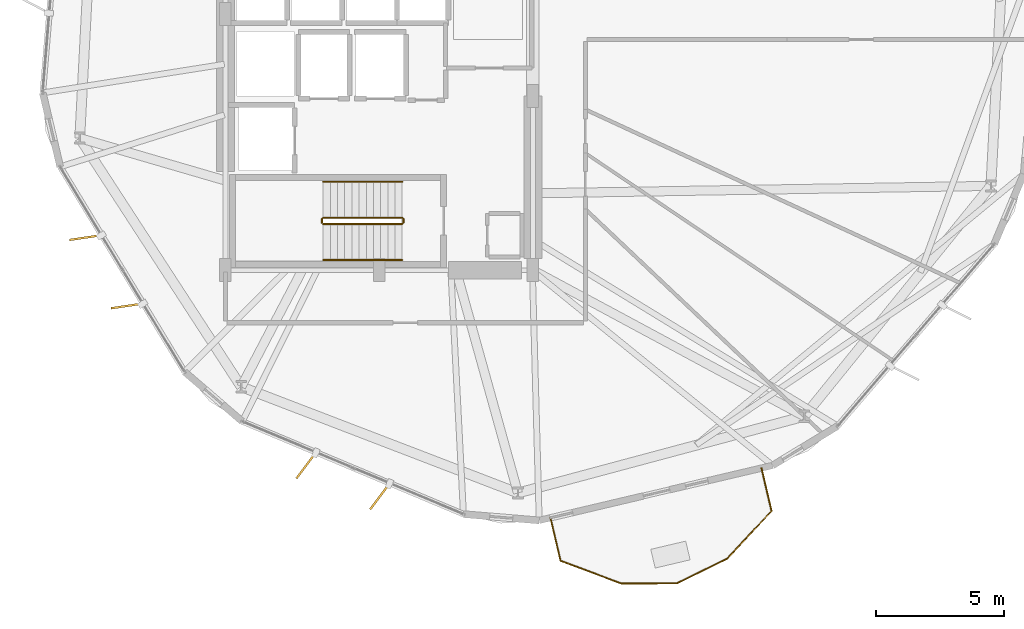
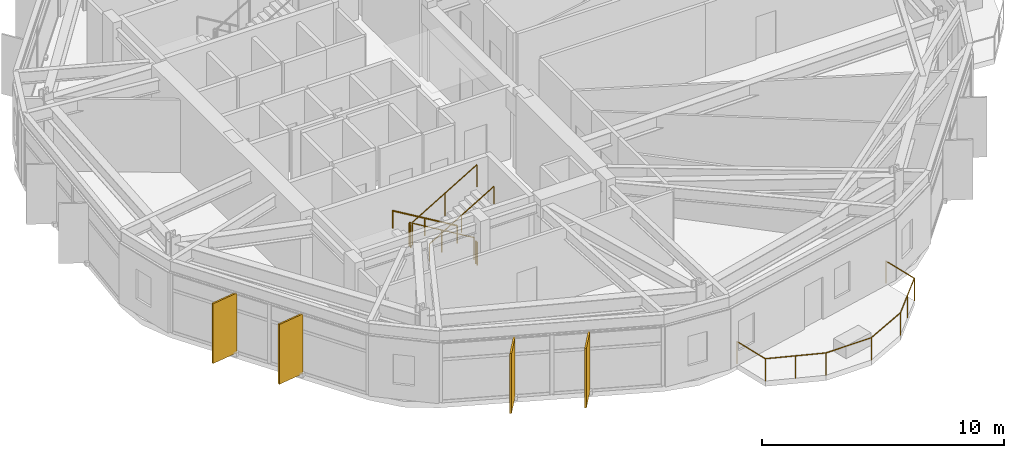
# One storey, part 19 of 21: 7 railings, 4 shading devices.
"""IFC4 building model written with IfcOpenShell, lengths in metres."""

from ifc_helpers import new_model, si_unit, direction, frame, origin, origin_2d, place, context, subcontext, project, spatial, rectangle, circle, extrude, material, layer, layer_set, type_object, element, save


model = new_model("IFC4")

# Units and contexts
model_context = context("Model", 3, precision=1e-05, world=origin(), true_north=direction((0.0, 1.0)))
body_context = subcontext(model_context, "Body", "Model", "MODEL_VIEW")
ifc_project = project(units=[si_unit("LENGTHUNIT", "METRE"), si_unit("AREAUNIT", "SQUARE_METRE"), si_unit("VOLUMEUNIT", "CUBIC_METRE"), si_unit("PLANEANGLEUNIT", "RADIAN"), si_unit("MASSUNIT", "GRAM", prefix="KILO")], contexts=[model_context])

# Site, building, storey
site_placement = place(None, origin())
site = spatial("IfcSite", under=ifc_project, at=site_placement, CompositionType="ELEMENT")
building_placement = place(site_placement, origin())
building = spatial("IfcBuilding", under=site, at=building_placement, Name="Soratama Intermodal Tower", CompositionType="ELEMENT")
storey_placement = place(building_placement, frame((0.0, 0.0, 78.60009765625)))
storey = spatial("IfcBuildingStorey", under=building, at=storey_placement, Name="L18", CompositionType="ELEMENT", Elevation=78.60009765625)

# Railings
ifc_material_1 = material(Name="Laminated glass and stainless steel balustrade", Category="steel")
railing_type_1 = type_object("IfcRailingType", Name="RL-BAL-1150", PredefinedType="BALUSTRADE", material=ifc_material_1)
railing_1_placement = place(storey_placement, frame((53.523193359375, 7.276611328125, 0.0)))
element("IfcRailing", 1, at=railing_1_placement, inside=storey, type_object=railing_type_1, Name="L18 Balcony Balustrade 3", PredefinedType="BALUSTRADE", context=body_context, shape_type="SweptSolid", body=[
    extrude(circle(Radius=0.02392578125, at=origin_2d()), frame((0.0, 0.0, 1.1259765625), z_axis=(0.229355751406, -0.973342662836, 0.0), x_axis=(0.973342662836, 0.229355751406, 0.0)), (0.0, 0.0, 1.0), 1.72021484375),
    extrude(circle(Radius=0.02392578125, at=origin_2d()), frame((0.39453125, -1.67431640625, 1.1259765625), z_axis=(-0.681476999439, -0.73183953107, 0.0), x_axis=(0.73183953107, -0.681476999439, 0.0)), (0.0, 0.0, 1.0), 2.544921875),
    extrude(circle(Radius=0.02392578125, at=origin_2d()), frame((-1.33984375, -3.536865234375, 1.1259765625), z_axis=(-0.897510583572, -0.44099291647, 0.0), x_axis=(0.44099291647, -0.897510583572, 0.0)), (0.0, 0.0, 1.0), 2.170166015625),
    extrude(circle(Radius=0.02392578125, at=origin_2d()), frame((-3.28759765625, -4.493896484375, 1.1259765625), z_axis=(-0.99998085845, -0.00618730422, 0.0), x_axis=(0.00618730422, -0.99998085845, 0.0)), (0.0, 0.0, 1.0), 2.170166015625),
    extrude(circle(Radius=0.02392578125, at=origin_2d()), frame((-5.457763671875, -4.50732421875, 1.1259765625), z_axis=(-0.936522201246, 0.350608280811, 0.0), x_axis=(-0.350608280811, -0.936522201246, 0.0)), (0.0, 0.0, 1.0), 2.545166015625),
    extrude(circle(Radius=0.02392578125, at=origin_2d()), frame((-7.84130859375, -3.614990234375, 1.1259765625), z_axis=(-0.22938743993, 0.973335195296, 0.0), x_axis=(-0.973335195296, -0.22938743993, 0.0)), (0.0, 0.0, 1.0), 1.719970703125),
    extrude(circle(Radius=0.02099609375, at=origin_2d()), origin(), (0.0, 0.0, 1.0), 1.101806640625),
    extrude(circle(Radius=0.02099609375, at=origin_2d()), frame((0.39453125, -1.67431640625, 0.0)), (0.0, 0.0, 1.0), 1.101806640625),
    extrude(circle(Radius=0.02099609375, at=origin_2d()), frame((-0.47265625, -2.60546875, 0.0)), (0.0, 0.0, 1.0), 1.101806640625),
    extrude(circle(Radius=0.02099609375, at=origin_2d()), frame((-1.33984375, -3.536865234375, 0.0)), (0.0, 0.0, 1.0), 1.101806640625),
    extrude(circle(Radius=0.02099609375, at=origin_2d()), frame((-3.28759765625, -4.493896484375, 0.0)), (0.0, 0.0, 1.0), 1.101806640625),
    extrude(circle(Radius=0.02099609375, at=origin_2d()), frame((-5.457763671875, -4.50732421875, 0.0)), (0.0, 0.0, 1.0), 1.101806640625),
    extrude(circle(Radius=0.02099609375, at=origin_2d()), frame((-6.6494140625, -4.06103515625, 0.0)), (0.0, 0.0, 1.0), 1.101806640625),
    extrude(circle(Radius=0.02099609375, at=origin_2d()), frame((-7.84130859375, -3.614990234375, 0.0)), (0.0, 0.0, 1.0), 1.101806640625),
    extrude(circle(Radius=0.02099609375, at=origin_2d()), frame((-8.23583984375, -1.94091796875, 0.0)), (0.0, 0.0, 1.0), 1.101806640625),
])
ifc_material_2 = material(Name="Painted steel stair guardrail", Category="steel")
railing_type_2 = type_object("IfcRailingType", Name="RL-STAIR-GUARD", PredefinedType="GUARDRAIL", material=ifc_material_2)
railing_2_placement = place(storey_placement, frame((39.5, 17.050048828125, 0.16650390625)))
element("IfcRailing", 2, at=railing_2_placement, inside=storey, type_object=railing_type_2, Name="L18 ST-1 stair guard 1", PredefinedType="GUARDRAIL", context=body_context, shape_type="SweptSolid", body=[
    extrude(circle(Radius=0.02392578125, at=origin_2d()), frame((0.0, 0.0, 1.1259765625), z_axis=(-0.85927862911, 0.0, 0.511507807912), x_axis=(0.0, -1.0, 0.0)), (0.0, 0.0, 1.0), 3.58447265625),
    extrude(circle(Radius=0.02099609375, at=origin_2d()), origin(), (0.0, 0.0, 1.0), 1.101806640625),
    extrude(circle(Radius=0.02099609375, at=origin_2d()), frame((-1.5400390625, 0.0, 0.916748046875)), (0.0, 0.0, 1.0), 1.101806640625),
    extrude(circle(Radius=0.02099609375, at=origin_2d()), frame((-3.080078125, 0.0, 1.83349609375)), (0.0, 0.0, 1.0), 1.101806640625),
])
railing_3_placement = place(storey_placement, frame((36.3701171875, 17.0, 2.0)))
element("IfcRailing", 3, at=railing_3_placement, inside=storey, type_object=railing_type_2, Name="L18 ST-1 stair guard 2", PredefinedType="GUARDRAIL", context=body_context, shape_type="SweptSolid", body=[
    extrude(circle(Radius=0.02392578125, at=origin_2d()), frame((0.0, 0.0, 1.1259765625), z_axis=(0.0, -1.0, 0.0), x_axis=(1.0, 0.0, 0.0)), (0.0, 0.0, 1.0), 0.14990234375),
    extrude(circle(Radius=0.02099609375, at=origin_2d()), origin(), (0.0, 0.0, 1.0), 1.101806640625),
    extrude(circle(Radius=0.02099609375, at=origin_2d()), frame((0.0, -0.14990234375, 0.0)), (0.0, 0.0, 1.0), 1.101806640625),
])
railing_4_placement = place(storey_placement, frame((36.419921875, 16.800048828125, 2.16650390625)))
element("IfcRailing", 4, at=railing_4_placement, inside=storey, type_object=railing_type_2, Name="L18 ST-1 stair guard 3", PredefinedType="GUARDRAIL", context=body_context, shape_type="SweptSolid", body=[
    extrude(circle(Radius=0.02392578125, at=origin_2d()), frame((0.0, 0.0, 1.1259765625), z_axis=(0.85927862911, 0.0, 0.511507807912), x_axis=(0.0, 1.0, 0.0)), (0.0, 0.0, 1.0), 3.58447265625),
    extrude(circle(Radius=0.02099609375, at=origin_2d()), origin(), (0.0, 0.0, 1.0), 1.101806640625),
    extrude(circle(Radius=0.02099609375, at=origin_2d()), frame((1.5400390625, 0.0, 0.916748046875)), (0.0, 0.0, 1.0), 1.101806640625),
    extrude(circle(Radius=0.02099609375, at=origin_2d()), frame((3.080078125, 0.0, 1.83349609375)), (0.0, 0.0, 1.0), 1.101806640625),
])
railing_5_placement = place(storey_placement, frame((39.550048828125, 17.0, 0.0)))
element("IfcRailing", 5, at=railing_5_placement, inside=storey, type_object=railing_type_2, Name="L18 ST-1 stair guard 4", PredefinedType="GUARDRAIL", context=body_context, shape_type="SweptSolid", body=[
    extrude(circle(Radius=0.02392578125, at=origin_2d()), frame((0.0, 0.0, 1.1259765625), z_axis=(0.0, -1.0, 0.0), x_axis=(1.0, 0.0, 0.0)), (0.0, 0.0, 1.0), 0.14990234375),
    extrude(circle(Radius=0.02099609375, at=origin_2d()), origin(), (0.0, 0.0, 1.0), 1.101806640625),
    extrude(circle(Radius=0.02099609375, at=origin_2d()), frame((0.0, -0.14990234375, 0.0)), (0.0, 0.0, 1.0), 1.101806640625),
])
ifc_material_3 = material(Name="Brushed stainless steel handrail", Category="steel")
railing_type_3 = type_object("IfcRailingType", Name="RL-STAIR-HAND", PredefinedType="HANDRAIL", material=ifc_material_3)
railing_6_placement = place(storey_placement, frame((39.5, 18.449951171875, 0.16650390625)))
element("IfcRailing", 6, at=railing_6_placement, inside=storey, type_object=railing_type_3, Name="L18 ST-1 stair handrail 1", PredefinedType="HANDRAIL", context=body_context, shape_type="SweptSolid", body=[
    extrude(circle(Radius=0.02392578125, at=origin_2d()), frame((0.0, 0.0, 0.8759765625), z_axis=(-0.85927862911, 0.0, 0.511507807912), x_axis=(0.0, -1.0, 0.0)), (0.0, 0.0, 1.0), 3.58447265625),
    extrude(circle(Radius=0.02099609375, at=origin_2d()), origin(), (0.0, 0.0, 1.0), 0.851806640625),
    extrude(circle(Radius=0.02099609375, at=origin_2d()), frame((-1.5400390625, 0.0, 0.916748046875)), (0.0, 0.0, 1.0), 0.851806640625),
    extrude(circle(Radius=0.02099609375, at=origin_2d()), frame((-3.080078125, 0.0, 1.83349609375)), (0.0, 0.0, 1.0), 0.851806640625),
])
railing_7_placement = place(storey_placement, frame((36.419921875, 15.39990234375, 2.16650390625)))
element("IfcRailing", 7, at=railing_7_placement, inside=storey, type_object=railing_type_3, Name="L18 ST-1 stair handrail 2", PredefinedType="HANDRAIL", context=body_context, shape_type="SweptSolid", body=[
    extrude(circle(Radius=0.02392578125, at=origin_2d()), frame((0.0, 0.0, 0.8759765625), z_axis=(0.85927862911, 0.0, 0.511507807912), x_axis=(0.0, 1.0, 0.0)), (0.0, 0.0, 1.0), 3.58447265625),
    extrude(circle(Radius=0.02099609375, at=origin_2d()), origin(), (0.0, 0.0, 1.0), 0.851806640625),
    extrude(circle(Radius=0.02099609375, at=origin_2d()), frame((1.5400390625, 0.0, 0.916748046875)), (0.0, 0.0, 1.0), 0.851806640625),
    extrude(circle(Radius=0.02099609375, at=origin_2d()), frame((3.080078125, 0.0, 1.83349609375)), (0.0, 0.0, 1.0), 0.851806640625),
])

# Shading devices
ifc_material_4 = material(Name="Champagne anodised aluminium solar fin", Category="aluminium")
ifc_layer = layer(ifc_material_4, 0.080078125)
ifc_layer_set = layer_set([ifc_layer], Name="Champagne anodised aluminium solar fin")
shading_device_type = type_object("IfcShadingDeviceType", Name="SH-FIN-1250", PredefinedType="USERDEFINED", material=ifc_layer_set)
for number, where, z_axis, x_axis, name in (
    (8, (27.134765625, 16.27294921875, 0.019775390625), (0.0, 0.0, 1.0), (-0.989195708464, -0.146600990296, 0.0), "L18 Solar Fin F06-1"),
    (9, (28.754150390625, 13.60546875, 0.019775390625), (0.0, 0.0, 1.0), (-0.989195708464, -0.146600990296, 0.0), "L18 Solar Fin F06-2"),
    (10, (35.750244140625, 7.3740234375, 0.019775390625), (0.0, 0.0, 1.0), (-0.599722140278, -0.800208319415, 0.0), "L18 Solar Fin F07-1"),
    (11, (38.628173828125, 6.167724609375, 0.019775390625), (0.0, 0.0, 1.0), (-0.599722140278, -0.800208319415, 0.0), "L18 Solar Fin F07-2"),
):
    element("IfcShadingDevice", number, at=place(storey_placement, frame(where, z_axis=z_axis, x_axis=x_axis)), inside=storey, type_object=shading_device_type, Name=name, ObjectType="FIN", PredefinedType="USERDEFINED", context=body_context, shape_type="SweptSolid", body=[
        extrude(rectangle(XDim=1.25, YDim=0.080078125, at=origin_2d()), origin(), (0.0, 0.0, 1.0), 3.01904296875),
    ])

save(model, "model.ifc")
